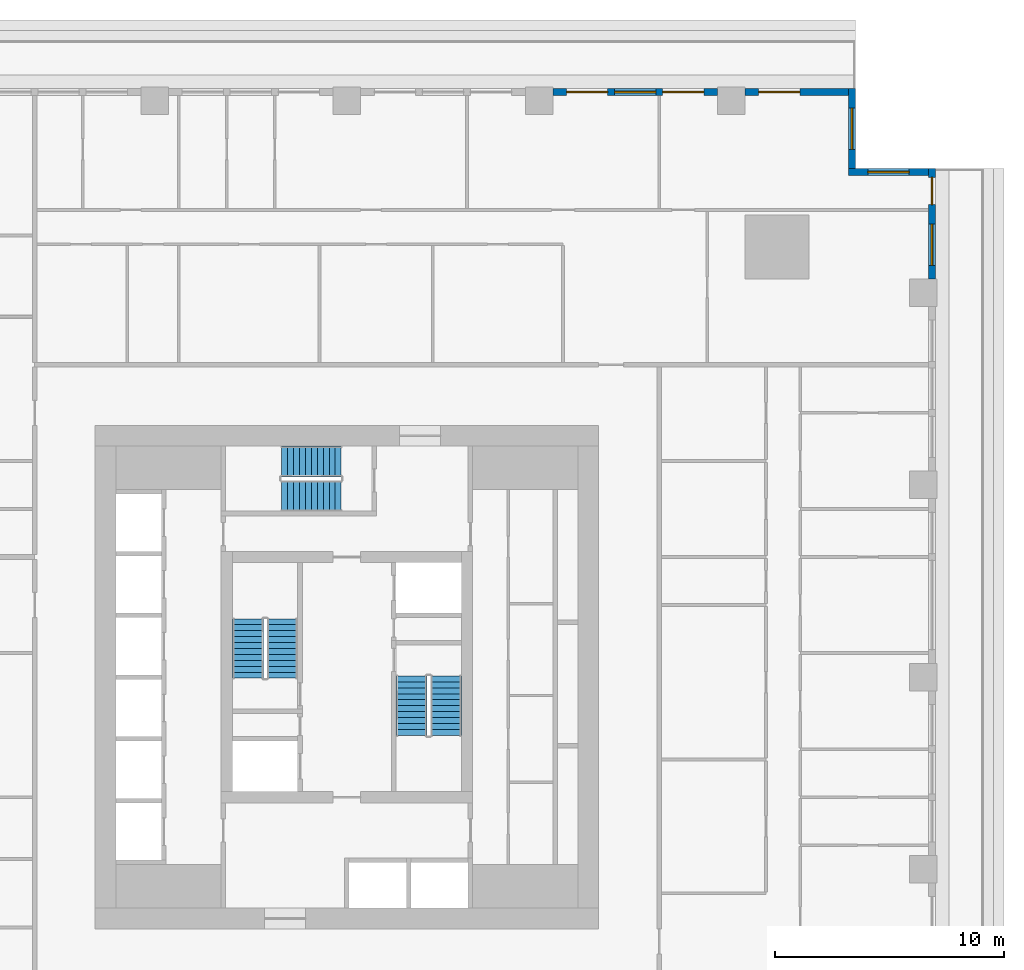
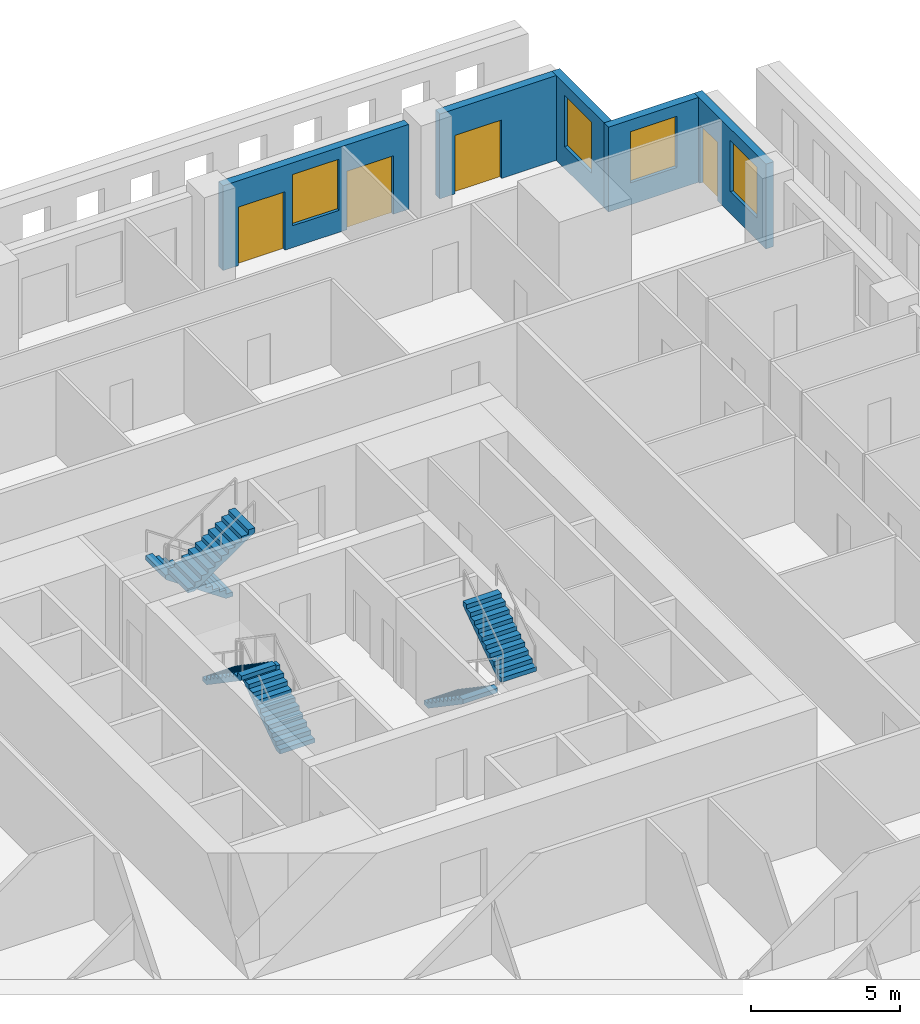
# One storey, part 9 of 14: 6 stair flights, 5 walls, 4 doors, 4 windows, 8 openings, 3 elements without a shape of their own.
"""IFC4 building model written with IfcOpenShell, lengths in metres."""

import ifcopenshell
import ifcopenshell.guid

model = None  # the IFC model being written
_history = None  # IfcOwnerHistory: only IFC2X3 demands one
_inside = {}  # id of a spatial element -> (the spatial element, [elements in it])
_under = {}  # id of a project, library or spatial element -> (it, [spatial elements below it])
_declared = {}  # id of a project -> (the project, [libraries it declares])
_typed = {}  # id of a type object -> (the type object, [elements of that type])
_made_of = {}  # id of a material, layer set ... -> (it, [elements and type objects made of it])


def new_model(schema):
    """Start an empty IFC model of exactly this schema.

    Asked for "IFC4X3", IfcOpenShell would pick the latest addendum, in which some entities
    have other attributes; the version numbers below select the first issue.
    IFC2X3 requires an IfcOwnerHistory on every rooted entity: one is made here for all.
    """
    global model, _history
    if schema == "IFC4X3":
        model = ifcopenshell.file(schema_version=(4, 3, 0, 0))
    else:
        model = ifcopenshell.file(schema=schema)
    _inside.clear()
    _under.clear()
    _declared.clear()
    _typed.clear()
    _made_of.clear()
    _history = None
    if model.schema == "IFC2X3":
        org = make("IfcOrganization", Name="unknown")
        user = make(
            "IfcPersonAndOrganization",
            ThePerson=make("IfcPerson", FamilyName="unknown"),
            TheOrganization=org,
        )
        app = make(
            "IfcApplication",
            ApplicationDeveloper=org,
            Version="unknown",
            ApplicationFullName="unknown",
            ApplicationIdentifier="unknown",
        )
        _history = make(
            "IfcOwnerHistory",
            OwningUser=user,
            OwningApplication=app,
            ChangeAction="ADDED",
            CreationDate=0,
        )
    return model


def make(cls, **values):
    """One entity of the class cls with the attributes given. An attribute that is None is left unset."""
    return model.create_entity(
        cls, **{name: value for name, value in values.items() if value is not None}
    )


def rooted(cls, **values):
    """An entity with a GlobalId (a new one), such as an element, a storey or a relation."""
    return make(cls, GlobalId=ifcopenshell.guid.new(), OwnerHistory=_history, **values)


def si_unit(unit_type, name, prefix=None):
    """IfcSIUnit, for example si_unit("LENGTHUNIT", "METRE", prefix="MILLI")."""
    return make("IfcSIUnit", UnitType=unit_type, Prefix=prefix, Name=name)


def assignment(units):
    """IfcUnitAssignment: the units of a project."""
    return None if units is None else make("IfcUnitAssignment", Units=units)


def point(xyz):
    """IfcCartesianPoint."""
    return None if xyz is None else make("IfcCartesianPoint", Coordinates=xyz)


def direction(xyz):
    """IfcDirection."""
    return None if xyz is None else make("IfcDirection", DirectionRatios=xyz)


def frame(location, z_axis=None, x_axis=None):
    """IfcAxis2Placement3D, a coordinate frame: its origin and axes. An axis left out is left unset."""
    return make(
        "IfcAxis2Placement3D",
        Location=point(location),
        Axis=direction(z_axis),
        RefDirection=direction(x_axis),
    )


def frame_2d(location, x_axis=None):
    """IfcAxis2Placement2D, a coordinate frame in the plane: its origin and x axis."""
    return make(
        "IfcAxis2Placement2D", Location=point(location), RefDirection=direction(x_axis)
    )


def origin():
    """The frame at (0, 0, 0) with its axes left unset."""
    return frame((0.0, 0.0, 0.0))


def place(relative_to, where):
    """IfcLocalPlacement: puts the frame where relative to a parent placement (None: the world)."""
    return make(
        "IfcLocalPlacement", PlacementRelTo=relative_to, RelativePlacement=where
    )


def context(
    kind, dimensions, precision=None, world=None, true_north=None, identifier=None
):
    """IfcGeometricRepresentationContext, for example the 3D "Model" context."""
    return make(
        "IfcGeometricRepresentationContext",
        ContextIdentifier=identifier,
        ContextType=kind,
        CoordinateSpaceDimension=dimensions,
        Precision=precision,
        WorldCoordinateSystem=world,
        TrueNorth=true_north,
    )


def subcontext(parent, identifier, kind, view, scale=None):
    """IfcGeometricRepresentationSubContext, for example "Body" below "Model"."""
    return make(
        "IfcGeometricRepresentationSubContext",
        ContextIdentifier=identifier,
        ContextType=kind,
        ParentContext=parent,
        TargetScale=scale,
        TargetView=view,
    )


def project(units=None, contexts=None):
    """IfcProject with its units and contexts."""
    return rooted(
        "IfcProject",
        Name="project",
        RepresentationContexts=contexts,
        UnitsInContext=assignment(units),
    )


def spatial(cls, under=None, at=None, **own):
    """A site, building, storey or space (cls), placed at a placement, below another one or the project."""
    s = rooted(cls, ObjectPlacement=at, **own)
    if under is not None:
        _under.setdefault(under.id(), (under, []))[1].append(s)
    return s


def polyline(points):
    """IfcPolyline through the points."""
    return make("IfcPolyline", Points=[point(p) for p in points])


def profile(cls, at=None, kind="AREA", **sizes):
    """A parametric profile (cls). Its sizes go by their IFC names, for example OverallWidth=200.0."""
    return make(cls, ProfileType=kind, Position=at, **sizes)


def rectangle(**sizes):
    """IfcRectangleProfileDef."""
    return profile("IfcRectangleProfileDef", **sizes)


def outline(outer, holes=None, kind="AREA"):
    """IfcArbitraryClosedProfileDef: a profile drawn as a closed curve; with holes, ...WithVoids."""
    if holes is None:
        return make("IfcArbitraryClosedProfileDef", ProfileType=kind, OuterCurve=outer)
    return make(
        "IfcArbitraryProfileDefWithVoids",
        ProfileType=kind,
        OuterCurve=outer,
        InnerCurves=holes,
    )


def extrude(swept, where, along, depth):
    """IfcExtrudedAreaSolid: the profile swept, set in the frame where, extruded along a direction by depth."""
    return make(
        "IfcExtrudedAreaSolid",
        SweptArea=swept,
        Position=where,
        ExtrudedDirection=direction(along),
        Depth=depth,
    )


def shape(context_of_items, identifier, shape_type, items):
    """IfcShapeRepresentation: the items that make up one representation, for example the "Body"."""
    return make(
        "IfcShapeRepresentation",
        ContextOfItems=context_of_items,
        RepresentationIdentifier=identifier,
        RepresentationType=shape_type,
        Items=items,
    )


def material(Name=None, Category=None):
    """IfcMaterial."""
    return make("IfcMaterial", Name=Name, Category=Category)


def layer(
    of_material, thickness, ventilated=None, Name=None, Category=None, Priority=None
):
    """IfcMaterialLayer: one layer of a wall or slab, of a material (None: an air gap)."""
    return make(
        "IfcMaterialLayer",
        Material=of_material,
        LayerThickness=thickness,
        IsVentilated=ventilated,
        Name=Name,
        Category=Category,
        Priority=Priority,
    )


def layer_set(layers, Name=None):
    """IfcMaterialLayerSet."""
    return make("IfcMaterialLayerSet", MaterialLayers=layers, LayerSetName=Name)


def made_of(thing, what):
    """Note that an element or type object is made of a material, layer set ...; save() writes the relation."""
    if what is not None:
        _made_of.setdefault(what.id(), (what, []))[1].append(thing)
    return thing


def type_object(cls, material=None, **own):
    """A type object (cls), such as IfcWallType, which elements share."""
    return made_of(rooted(cls, **own), material)


def element(
    cls,
    number,
    at=None,
    inside=None,
    cuts=None,
    type_object=None,
    material=None,
    context=None,
    identifier="Body",
    shape_type=None,
    held_by="IfcProductDefinitionShape",
    body=None,
    shapes=None,
    **own,
):
    """One element of the class cls, such as IfcWall. Its Tag is "e" and its number.

    at: its placement. inside: the storey or other place that contains it. cuts: it is an
    opening in that element (IfcRelVoidsElement). A single representation is given by context,
    identifier, shape_type and body (its items); several are given by shapes. held_by: the class
    of the entity that holds the representations. save() writes the other relations.
    """
    e = rooted(cls, Tag="e%d" % number, ObjectPlacement=at, **own)
    if body is not None:
        shapes = [shape(context, identifier, shape_type, body)]
    if shapes is not None:
        e.Representation = make(held_by, Representations=shapes)
    if inside is not None:
        _inside.setdefault(inside.id(), (inside, []))[1].append(e)
    if cuts is not None:
        rooted(
            "IfcRelVoidsElement", RelatingBuildingElement=cuts, RelatedOpeningElement=e
        )
    if type_object is not None:
        _typed.setdefault(type_object.id(), (type_object, []))[1].append(e)
    return made_of(e, material)


def fill(opening, filler):
    """IfcRelFillsElement: the door or window that sits in an opening."""
    return rooted(
        "IfcRelFillsElement",
        RelatingOpeningElement=opening,
        RelatedBuildingElement=filler,
    )


def aggregate(whole, parts):
    """IfcRelAggregates: a whole, such as a stair, and the parts it consists of."""
    return rooted("IfcRelAggregates", RelatingObject=whole, RelatedObjects=parts)


def save(model, path):
    """Write the relations noted so far, then the file.

    IfcRelAggregates (storeys below a building ...), IfcRelContainedInSpatialStructure (elements
    in a storey), IfcRelDefinesByType, IfcRelAssociatesMaterial and IfcRelDeclares: one each for
    every whole, place, type object, material and project.
    """
    for whole, parts in _under.values():
        aggregate(whole, parts)
    for where, things in _inside.values():
        rooted(
            "IfcRelContainedInSpatialStructure",
            RelatedElements=things,
            RelatingStructure=where,
        )
    for kind, things in _typed.values():
        rooted("IfcRelDefinesByType", RelatedObjects=things, RelatingType=kind)
    for what, things in _made_of.values():
        rooted("IfcRelAssociatesMaterial", RelatedObjects=things, RelatingMaterial=what)
    for by, libraries in _declared.values():
        rooted("IfcRelDeclares", RelatingContext=by, RelatedDefinitions=libraries)
    model.write(path)


model = new_model("IFC4")

# Units and contexts
model_context = context("Model", 3, precision=1e-05, world=origin(), true_north=direction((0.0, 1.0)))
body_context = subcontext(model_context, "Body", "Model", "MODEL_VIEW")
ifc_project = project(units=[si_unit("LENGTHUNIT", "METRE"), si_unit("AREAUNIT", "SQUARE_METRE"), si_unit("VOLUMEUNIT", "CUBIC_METRE"), si_unit("PLANEANGLEUNIT", "RADIAN"), si_unit("MASSUNIT", "GRAM", prefix="KILO")], contexts=[model_context])

# Site, building, storey
site_placement = place(None, origin())
site = spatial("IfcSite", under=ifc_project, at=site_placement, CompositionType="ELEMENT")
building_placement = place(site_placement, origin())
building = spatial("IfcBuilding", under=site, at=building_placement, Name="Khepri Terraces", CompositionType="ELEMENT")
storey_placement = place(building_placement, frame((0.0, 0.0, 114.300048828125)))
storey = spatial("IfcBuildingStorey", under=building, at=storey_placement, Name="L27", CompositionType="ELEMENT", Elevation=114.300048828125)

# Wall, openings, door, window
ifc_material_1 = material(Name="Precast concrete C50/60 warm stone", Category="masonry")
ifc_layer = layer(ifc_material_1, 0.300048828125, Name="Precast concrete C50/60 warm stone", Category="masonry")
ifc_layer_set = layer_set([ifc_layer], Name="Precast concrete C50/60 warm stone")
wall_type = type_object("IfcWallType", Name="WL-EXT-PRECAST-300", PredefinedType="STANDARD", material=ifc_layer_set)
wall_1_placement = place(storey_placement, frame((25.570068359375, 17.39990234375, 0.0), z_axis=(0.0, 0.0, 1.0), x_axis=(0.0, 1.0, 0.0)))
wall_1 = element("IfcWall", 1, at=wall_1_placement, inside=storey, type_object=wall_type, Name="External wall L27 E", PredefinedType="STANDARD", context=body_context, shape_type="SweptSolid", body=[
    extrude(rectangle(XDim=4.820068359375, YDim=0.300048828125, at=frame_2d((2.41015625, 0.0))), origin(), (0.0, 0.0, 1.0), 3.47998046875),
])
opening_1_placement = place(wall_1_placement, frame((0.60009765625, 0.0, 0.89990234375)))
opening_1 = element("IfcOpeningElement", 2, at=opening_1_placement, cuts=wall_1, Name="Opening W1", PredefinedType="OPENING", context=body_context, shape_type="SweptSolid", body=[
    extrude(rectangle(XDim=1.800048828125, YDim=2.10009765625, at=frame_2d((0.89990234375, 1.050048828125))), frame((0.0, 0.16015625, 0.0), z_axis=(0.0, -1.0, 0.0), x_axis=(1.0, 0.0, 0.0)), (0.0, 0.0, 1.0), 0.320068359375),
])
opening_2_placement = place(wall_1_placement, frame((3.2451171875, 0.0, 0.0)))
opening_2 = element("IfcOpeningElement", 3, at=opening_2_placement, cuts=wall_1, Name="Opening ED-L27-04", PredefinedType="OPENING", context=body_context, shape_type="SweptSolid", body=[
    extrude(rectangle(XDim=1.199951171875, YDim=2.39990234375, at=frame_2d((0.60009765625, 1.199951171875))), frame((0.0, 0.16015625, 0.0), z_axis=(0.0, -1.0, 0.0), x_axis=(1.0, 0.0, 0.0)), (0.0, 0.0, 1.0), 0.320068359375),
])
ifc_material_2 = material(Name="Anodised aluminium bronze glazed door", Category="aluminium")
door_type_1 = type_object("IfcDoorType", Name="DR-BAL-SLIDE-1200x2400", OperationType="NOTDEFINED", PredefinedType="DOOR", material=ifc_material_2)
door_1_placement = place(opening_2_placement, origin())
door_1 = element("IfcDoor", 4, at=door_1_placement, inside=storey, type_object=door_type_1, Name="Balcony door L27 E", OperationType="SLIDING_TO_RIGHT", OverallHeight=2.39990234375, OverallWidth=1.199951171875, PredefinedType="DOOR", context=body_context, shape_type="SweptSolid", body=[
    extrude(rectangle(XDim=1.199951171875, YDim=2.39990234375, at=frame_2d((0.60009765625, 1.199951171875))), frame((0.0, 0.02490234375, 0.0), z_axis=(0.0, -1.0, 0.0), x_axis=(1.0, 0.0, 0.0)), (0.0, 0.0, 1.0), 0.050048828125),
])
fill(opening_2, door_1)
ifc_material_3 = material(Name="Clear glass", Category="glass")
window_type = type_object("IfcWindowType", Name="WIN-RES-1800x2100", PartitioningType="SINGLE_PANEL", PredefinedType="WINDOW", material=ifc_material_3)
window_1_placement = place(opening_1_placement, origin())
window_1 = element("IfcWindow", 5, at=window_1_placement, inside=storey, type_object=window_type, Name="Window L27 E", OverallHeight=2.10009765625, OverallWidth=1.800048828125, PartitioningType="SINGLE_PANEL", PredefinedType="WINDOW", context=body_context, shape_type="SweptSolid", body=[
    extrude(rectangle(XDim=1.800048828125, YDim=2.10009765625, at=frame_2d((0.89990234375, 1.050048828125))), frame((0.0, 0.030029296875, 0.0), z_axis=(0.0, -1.0, 0.0), x_axis=(1.0, 0.0, 0.0)), (0.0, 0.0, 1.0), 0.06005859375),
])
fill(opening_1, window_1)

# Wall, opening, window
wall_2_placement = place(storey_placement, frame((25.419921875, 22.070068359375, 0.0), z_axis=(0.0, 0.0, 1.0), x_axis=(-1.0, 0.0, 0.0)))
wall_2 = element("IfcWall", 6, at=wall_2_placement, inside=storey, type_object=wall_type, Name="External wall L27 N", PredefinedType="STANDARD", context=body_context, shape_type="SweptSolid", body=[
    extrude(rectangle(XDim=3.5, YDim=0.300048828125, at=frame_2d((1.75, 0.0))), origin(), (0.0, 0.0, 1.0), 3.47998046875),
])
opening_3_placement = place(wall_2_placement, frame((0.85009765625, 0.0, 0.89990234375)))
opening_3 = element("IfcOpeningElement", 7, at=opening_3_placement, cuts=wall_2, Name="Opening W1", PredefinedType="OPENING", context=body_context, shape_type="SweptSolid", body=[
    extrude(rectangle(XDim=1.800048828125, YDim=2.10009765625, at=frame_2d((0.89990234375, 1.050048828125))), frame((0.0, 0.16015625, 0.0), z_axis=(0.0, -1.0, 0.0), x_axis=(1.0, 0.0, 0.0)), (0.0, 0.0, 1.0), 0.320068359375),
])
window_2_placement = place(opening_3_placement, origin())
window_2 = element("IfcWindow", 8, at=window_2_placement, inside=storey, type_object=window_type, Name="Window L27 N", OverallHeight=2.10009765625, OverallWidth=1.800048828125, PartitioningType="SINGLE_PANEL", PredefinedType="WINDOW", context=body_context, shape_type="SweptSolid", body=[
    extrude(rectangle(XDim=1.800048828125, YDim=2.10009765625, at=frame_2d((0.89990234375, 1.050048828125))), frame((0.0, 0.030029296875, 0.0), z_axis=(0.0, -1.0, 0.0), x_axis=(1.0, 0.0, 0.0)), (0.0, 0.0, 1.0), 0.06005859375),
])
fill(opening_3, window_2)

wall_3_placement = place(storey_placement, frame((22.070068359375, 22.219970703125, 0.0), z_axis=(0.0, 0.0, 1.0), x_axis=(0.0, 1.0, 0.0)))
wall_3 = element("IfcWall", 9, at=wall_3_placement, inside=storey, type_object=wall_type, Name="External wall L27 E", PredefinedType="STANDARD", context=body_context, shape_type="SweptSolid", body=[
    extrude(rectangle(XDim=3.5, YDim=0.300048828125, at=frame_2d((1.75, 0.0))), origin(), (0.0, 0.0, 1.0), 3.47998046875),
])
opening_4_placement = place(wall_3_placement, frame((0.85009765625, 0.0, 0.89990234375)))
opening_4 = element("IfcOpeningElement", 10, at=opening_4_placement, cuts=wall_3, Name="Opening W1", PredefinedType="OPENING", context=body_context, shape_type="SweptSolid", body=[
    extrude(rectangle(XDim=1.800048828125, YDim=2.10009765625, at=frame_2d((0.89990234375, 1.050048828125))), frame((0.0, 0.16015625, 0.0), z_axis=(0.0, -1.0, 0.0), x_axis=(1.0, 0.0, 0.0)), (0.0, 0.0, 1.0), 0.320068359375),
])
window_3_placement = place(opening_4_placement, origin())
window_3 = element("IfcWindow", 11, at=window_3_placement, inside=storey, type_object=window_type, Name="Window L27 E", OverallHeight=2.10009765625, OverallWidth=1.800048828125, PartitioningType="SINGLE_PANEL", PredefinedType="WINDOW", context=body_context, shape_type="SweptSolid", body=[
    extrude(rectangle(XDim=1.800048828125, YDim=2.10009765625, at=frame_2d((0.89990234375, 1.050048828125))), frame((0.0, 0.030029296875, 0.0), z_axis=(0.0, -1.0, 0.0), x_axis=(1.0, 0.0, 0.0)), (0.0, 0.0, 1.0), 0.06005859375),
])
fill(opening_4, window_3)

# Wall, opening, door
wall_4_placement = place(storey_placement, frame((21.919921875, 25.570068359375, 0.0), z_axis=(0.0, 0.0, 1.0), x_axis=(-1.0, 0.0, 0.0)))
wall_4 = element("IfcWall", 12, at=wall_4_placement, inside=storey, type_object=wall_type, Name="External wall L27 N", PredefinedType="STANDARD", context=body_context, shape_type="SweptSolid", body=[
    extrude(rectangle(XDim=4.52001953125, YDim=0.300048828125, at=frame_2d((2.260009765625, 0.0))), origin(), (0.0, 0.0, 1.0), 3.47998046875),
])
opening_5_placement = place(wall_4_placement, frame((2.1201171875, 0.0, 0.0)))
opening_5 = element("IfcOpeningElement", 13, at=opening_5_placement, cuts=wall_4, Name="Opening ED-L27-05", PredefinedType="OPENING", context=body_context, shape_type="SweptSolid", body=[
    extrude(rectangle(XDim=1.800048828125, YDim=2.39990234375, at=frame_2d((0.89990234375, 1.199951171875))), frame((0.0, 0.16015625, 0.0), z_axis=(0.0, -1.0, 0.0), x_axis=(1.0, 0.0, 0.0)), (0.0, 0.0, 1.0), 0.320068359375),
])
door_type_2 = type_object("IfcDoorType", Name="DR-BAL-SLIDE-1800x2400", OperationType="NOTDEFINED", PredefinedType="DOOR", material=ifc_material_2)
door_2_placement = place(opening_5_placement, origin())
door_2 = element("IfcDoor", 14, at=door_2_placement, inside=storey, type_object=door_type_2, Name="Balcony door L27 N", OperationType="SLIDING_TO_RIGHT", OverallHeight=2.39990234375, OverallWidth=1.800048828125, PredefinedType="DOOR", context=body_context, shape_type="SweptSolid", body=[
    extrude(rectangle(XDim=1.800048828125, YDim=2.39990234375, at=frame_2d((0.89990234375, 1.199951171875))), frame((0.0, 0.02490234375, 0.0), z_axis=(0.0, -1.0, 0.0), x_axis=(1.0, 0.0, 0.0)), (0.0, 0.0, 1.0), 0.050048828125),
])
fill(opening_5, door_2)

# Wall, openings, doors, window
wall_5_placement = place(storey_placement, frame((16.199951171875, 25.570068359375, 0.0), z_axis=(0.0, 0.0, 1.0), x_axis=(-1.0, 0.0, 0.0)))
wall_5 = element("IfcWall", 15, at=wall_5_placement, inside=storey, type_object=wall_type, Name="External wall L27 N", PredefinedType="STANDARD", context=body_context, shape_type="SweptSolid", body=[
    extrude(rectangle(XDim=7.199951171875, YDim=0.300048828125, at=frame_2d((3.60009765625, 0.0))), origin(), (0.0, 0.0, 1.0), 3.47998046875),
])
opening_6_placement = place(wall_5_placement, frame((0.60009765625, 0.0, 0.0)))
opening_6 = element("IfcOpeningElement", 16, at=opening_6_placement, cuts=wall_5, Name="Opening ED-L27-06", PredefinedType="OPENING", context=body_context, shape_type="SweptSolid", body=[
    extrude(rectangle(XDim=1.800048828125, YDim=2.39990234375, at=frame_2d((0.89990234375, 1.199951171875))), frame((0.0, 0.16015625, 0.0), z_axis=(0.0, -1.0, 0.0), x_axis=(1.0, 0.0, 0.0)), (0.0, 0.0, 1.0), 0.320068359375),
])
opening_7_placement = place(wall_5_placement, frame((2.699951171875, 0.0, 0.89990234375)))
opening_7 = element("IfcOpeningElement", 17, at=opening_7_placement, cuts=wall_5, Name="Opening W1", PredefinedType="OPENING", context=body_context, shape_type="SweptSolid", body=[
    extrude(rectangle(XDim=1.800048828125, YDim=2.10009765625, at=frame_2d((0.89990234375, 1.050048828125))), frame((0.0, 0.16015625, 0.0), z_axis=(0.0, -1.0, 0.0), x_axis=(1.0, 0.0, 0.0)), (0.0, 0.0, 1.0), 0.320068359375),
])
opening_8_placement = place(wall_5_placement, frame((4.800048828125, 0.0, 0.0)))
opening_8 = element("IfcOpeningElement", 18, at=opening_8_placement, cuts=wall_5, Name="Opening ED-L27-07", PredefinedType="OPENING", context=body_context, shape_type="SweptSolid", body=[
    extrude(rectangle(XDim=1.800048828125, YDim=2.39990234375, at=frame_2d((0.89990234375, 1.199951171875))), frame((0.0, 0.16015625, 0.0), z_axis=(0.0, -1.0, 0.0), x_axis=(1.0, 0.0, 0.0)), (0.0, 0.0, 1.0), 0.320068359375),
])
door_3_placement = place(opening_6_placement, origin())
door_3 = element("IfcDoor", 19, at=door_3_placement, inside=storey, type_object=door_type_2, Name="Balcony door L27 N", OperationType="SLIDING_TO_LEFT", OverallHeight=2.39990234375, OverallWidth=1.800048828125, PredefinedType="DOOR", context=body_context, shape_type="SweptSolid", body=[
    extrude(rectangle(XDim=1.800048828125, YDim=2.39990234375, at=frame_2d((0.89990234375, 1.199951171875))), frame((0.0, 0.02490234375, 0.0), z_axis=(0.0, -1.0, 0.0), x_axis=(1.0, 0.0, 0.0)), (0.0, 0.0, 1.0), 0.050048828125),
])
fill(opening_6, door_3)
door_4_placement = place(opening_8_placement, origin())
door_4 = element("IfcDoor", 20, at=door_4_placement, inside=storey, type_object=door_type_2, Name="Balcony door L27 N", OperationType="SLIDING_TO_RIGHT", OverallHeight=2.39990234375, OverallWidth=1.800048828125, PredefinedType="DOOR", context=body_context, shape_type="SweptSolid", body=[
    extrude(rectangle(XDim=1.800048828125, YDim=2.39990234375, at=frame_2d((0.89990234375, 1.199951171875))), frame((0.0, 0.02490234375, 0.0), z_axis=(0.0, -1.0, 0.0), x_axis=(1.0, 0.0, 0.0)), (0.0, 0.0, 1.0), 0.050048828125),
])
fill(opening_8, door_4)
window_4_placement = place(opening_7_placement, origin())
window_4 = element("IfcWindow", 21, at=window_4_placement, inside=storey, type_object=window_type, Name="Window L27 N", OverallHeight=2.10009765625, OverallWidth=1.800048828125, PartitioningType="SINGLE_PANEL", PredefinedType="WINDOW", context=body_context, shape_type="SweptSolid", body=[
    extrude(rectangle(XDim=1.800048828125, YDim=2.10009765625, at=frame_2d((0.89990234375, 1.050048828125))), frame((0.0, 0.030029296875, 0.0), z_axis=(0.0, -1.0, 0.0), x_axis=(1.0, 0.0, 0.0)), (0.0, 0.0, 1.0), 0.06005859375),
])
fill(opening_7, window_4)

# Stair, stair flights
ifc_material_4 = material(Name="Concrete C40/50", Category="concrete")
stair_type = type_object("IfcStairType", Name="STAIR-RC-22R", PredefinedType="HALF_TURN_STAIR", material=ifc_material_4)
stair_1_placement = place(storey_placement, origin())
stair_1 = element("IfcStair", 22, at=stair_1_placement, inside=storey, type_object=stair_type, Name="L27 Exit Stair ST-1", PredefinedType="HALF_TURN_STAIR")
stair_flight_type = type_object("IfcStairFlightType", Name="SFL-RC-177.3", PredefinedType="STRAIGHT", material=ifc_material_4)
stair_flight_1_placement = place(storey_placement, frame((-2.824951171875, -0.050048828125, 0.0), z_axis=(0.0, 0.0, 1.0), x_axis=(0.0, 1.0, 0.0)))
stair_flight_1 = element("IfcStairFlight", 23, at=stair_flight_1_placement, type_object=stair_flight_type, Name="ST-1 flight 1", NumberOfRisers=11, NumberOfTreads=10, PredefinedType="STRAIGHT", RiserHeight=0.177272727, TreadLength=0.26, context=body_context, shape_type="SweptSolid", body=[
    extrude(outline(polyline([(0.0, 0.0), (0.0, 0.17724609375), (0.260009765625, 0.17724609375), (0.260009765625, 0.3544921875), (0.52001953125, 0.3544921875), (0.52001953125, 0.53173828125), (0.780029296875, 0.53173828125), (0.780029296875, 0.708984375), (1.0400390625, 0.708984375), (1.0400390625, 0.886474609375), (1.300048828125, 0.886474609375), (1.300048828125, 1.063720703125), (1.56005859375, 1.063720703125), (1.56005859375, 1.240966796875), (1.820068359375, 1.240966796875), (1.820068359375, 1.418212890625), (2.080078125, 1.418212890625), (2.080078125, 1.595458984375), (2.340087890625, 1.595458984375), (2.340087890625, 1.772705078125), (2.60009765625, 1.772705078125), (2.60009765625, 1.949951171875), (2.60009765625, 1.59130859375), (0.26611328125, 0.0), (0.0, 0.0)])), frame((0.0, 0.675048828125, 0.0), z_axis=(0.0, -1.0, 0.0), x_axis=(1.0, 0.0, 0.0)), (0.0, 0.0, 1.0), 1.35009765625),
])
stair_flight_2_placement = place(storey_placement, frame((-4.324951171875, 2.550048828125, 1.949951171875), z_axis=(0.0, 0.0, 1.0), x_axis=(0.0, -1.0, 0.0)))
stair_flight_2 = element("IfcStairFlight", 24, at=stair_flight_2_placement, type_object=stair_flight_type, Name="ST-1 flight 2", NumberOfRisers=11, NumberOfTreads=10, PredefinedType="STRAIGHT", RiserHeight=0.177272727, TreadLength=0.26, context=body_context, shape_type="SweptSolid", body=[
    extrude(outline(polyline([(0.0, 0.0), (0.0, 0.17724609375), (0.260009765625, 0.17724609375), (0.260009765625, 0.3544921875), (0.52001953125, 0.3544921875), (0.52001953125, 0.53173828125), (0.780029296875, 0.53173828125), (0.780029296875, 0.708984375), (1.0400390625, 0.708984375), (1.0400390625, 0.886474609375), (1.300048828125, 0.886474609375), (1.300048828125, 1.063720703125), (1.56005859375, 1.063720703125), (1.56005859375, 1.240966796875), (1.820068359375, 1.240966796875), (1.820068359375, 1.418212890625), (2.080078125, 1.418212890625), (2.080078125, 1.595458984375), (2.340087890625, 1.595458984375), (2.340087890625, 1.772705078125), (2.60009765625, 1.772705078125), (2.60009765625, 1.949951171875), (2.60009765625, 1.59130859375), (0.26611328125, 0.0), (0.0, 0.0)])), frame((0.0, 0.675048828125, 0.0), z_axis=(0.0, -1.0, 0.0), x_axis=(1.0, 0.0, 0.0)), (0.0, 0.0, 1.0), 1.35009765625),
])
aggregate(stair_1, [stair_flight_1, stair_flight_2])

stair_2_placement = place(storey_placement, origin())
stair_2 = element("IfcStair", 25, at=stair_2_placement, inside=storey, type_object=stair_type, Name="L27 Exit Stair ST-2", PredefinedType="HALF_TURN_STAIR")
stair_flight_3_placement = place(storey_placement, frame((2.824951171875, 0.050048828125, 0.0), z_axis=(0.0, 0.0, 1.0), x_axis=(0.0, -1.0, 0.0)))
stair_flight_3 = element("IfcStairFlight", 26, at=stair_flight_3_placement, type_object=stair_flight_type, Name="ST-2 flight 1", NumberOfRisers=11, NumberOfTreads=10, PredefinedType="STRAIGHT", RiserHeight=0.177272727, TreadLength=0.26, context=body_context, shape_type="SweptSolid", body=[
    extrude(outline(polyline([(0.0, 0.0), (0.0, 0.17724609375), (0.260009765625, 0.17724609375), (0.260009765625, 0.3544921875), (0.52001953125, 0.3544921875), (0.52001953125, 0.53173828125), (0.780029296875, 0.53173828125), (0.780029296875, 0.708984375), (1.0400390625, 0.708984375), (1.0400390625, 0.886474609375), (1.300048828125, 0.886474609375), (1.300048828125, 1.063720703125), (1.56005859375, 1.063720703125), (1.56005859375, 1.240966796875), (1.820068359375, 1.240966796875), (1.820068359375, 1.418212890625), (2.080078125, 1.418212890625), (2.080078125, 1.595458984375), (2.340087890625, 1.595458984375), (2.340087890625, 1.772705078125), (2.60009765625, 1.772705078125), (2.60009765625, 1.949951171875), (2.60009765625, 1.59130859375), (0.26611328125, 0.0), (0.0, 0.0)])), frame((0.0, 0.675048828125, 0.0), z_axis=(0.0, -1.0, 0.0), x_axis=(1.0, 0.0, 0.0)), (0.0, 0.0, 1.0), 1.35009765625),
])
stair_flight_4_placement = place(storey_placement, frame((4.324951171875, -2.550048828125, 1.949951171875), z_axis=(0.0, 0.0, 1.0), x_axis=(0.0, 1.0, 0.0)))
stair_flight_4 = element("IfcStairFlight", 27, at=stair_flight_4_placement, type_object=stair_flight_type, Name="ST-2 flight 2", NumberOfRisers=11, NumberOfTreads=10, PredefinedType="STRAIGHT", RiserHeight=0.177272727, TreadLength=0.26, context=body_context, shape_type="SweptSolid", body=[
    extrude(outline(polyline([(0.0, 0.0), (0.0, 0.17724609375), (0.260009765625, 0.17724609375), (0.260009765625, 0.3544921875), (0.52001953125, 0.3544921875), (0.52001953125, 0.53173828125), (0.780029296875, 0.53173828125), (0.780029296875, 0.708984375), (1.0400390625, 0.708984375), (1.0400390625, 0.886474609375), (1.300048828125, 0.886474609375), (1.300048828125, 1.063720703125), (1.56005859375, 1.063720703125), (1.56005859375, 1.240966796875), (1.820068359375, 1.240966796875), (1.820068359375, 1.418212890625), (2.080078125, 1.418212890625), (2.080078125, 1.595458984375), (2.340087890625, 1.595458984375), (2.340087890625, 1.772705078125), (2.60009765625, 1.772705078125), (2.60009765625, 1.949951171875), (2.60009765625, 1.59130859375), (0.26611328125, 0.0), (0.0, 0.0)])), frame((0.0, 0.675048828125, 0.0), z_axis=(0.0, -1.0, 0.0), x_axis=(1.0, 0.0, 0.0)), (0.0, 0.0, 1.0), 1.35009765625),
])
aggregate(stair_2, [stair_flight_3, stair_flight_4])

stair_3_placement = place(storey_placement, origin())
stair_3 = element("IfcStair", 28, at=stair_3_placement, inside=storey, type_object=stair_type, Name="L27 Exit Stair ST-3", PredefinedType="HALF_TURN_STAIR")
stair_flight_5_placement = place(storey_placement, frame((-0.25, 9.425048828125, 0.0), z_axis=(0.0, 0.0, 1.0), x_axis=(-1.0, 0.0, 0.0)))
stair_flight_5 = element("IfcStairFlight", 29, at=stair_flight_5_placement, type_object=stair_flight_type, Name="ST-3 flight 1", NumberOfRisers=11, NumberOfTreads=10, PredefinedType="STRAIGHT", RiserHeight=0.177272727, TreadLength=0.26, context=body_context, shape_type="SweptSolid", body=[
    extrude(outline(polyline([(0.0, 0.0), (0.0, 0.17724609375), (0.260009765625, 0.17724609375), (0.260009765625, 0.3544921875), (0.52001953125, 0.3544921875), (0.52001953125, 0.53173828125), (0.780029296875, 0.53173828125), (0.780029296875, 0.708984375), (1.0400390625, 0.708984375), (1.0400390625, 0.886474609375), (1.300048828125, 0.886474609375), (1.300048828125, 1.063720703125), (1.56005859375, 1.063720703125), (1.56005859375, 1.240966796875), (1.820068359375, 1.240966796875), (1.820068359375, 1.418212890625), (2.080078125, 1.418212890625), (2.080078125, 1.595458984375), (2.340087890625, 1.595458984375), (2.340087890625, 1.772705078125), (2.60009765625, 1.772705078125), (2.60009765625, 1.949951171875), (2.60009765625, 1.59130859375), (0.26611328125, 0.0), (0.0, 0.0)])), frame((0.0, 0.675048828125, 0.0), z_axis=(0.0, -1.0, 0.0), x_axis=(1.0, 0.0, 0.0)), (0.0, 0.0, 1.0), 1.35009765625),
])
stair_flight_6_placement = place(storey_placement, frame((-2.85009765625, 7.925048828125, 1.949951171875), z_axis=(0.0, 0.0, 1.0), x_axis=(1.0, 0.0, 0.0)))
stair_flight_6 = element("IfcStairFlight", 30, at=stair_flight_6_placement, type_object=stair_flight_type, Name="ST-3 flight 2", NumberOfRisers=11, NumberOfTreads=10, PredefinedType="STRAIGHT", RiserHeight=0.177272727, TreadLength=0.26, context=body_context, shape_type="SweptSolid", body=[
    extrude(outline(polyline([(0.0, 0.0), (0.0, 0.17724609375), (0.260009765625, 0.17724609375), (0.260009765625, 0.3544921875), (0.52001953125, 0.3544921875), (0.52001953125, 0.53173828125), (0.780029296875, 0.53173828125), (0.780029296875, 0.708984375), (1.0400390625, 0.708984375), (1.0400390625, 0.886474609375), (1.300048828125, 0.886474609375), (1.300048828125, 1.063720703125), (1.56005859375, 1.063720703125), (1.56005859375, 1.240966796875), (1.820068359375, 1.240966796875), (1.820068359375, 1.418212890625), (2.080078125, 1.418212890625), (2.080078125, 1.595458984375), (2.340087890625, 1.595458984375), (2.340087890625, 1.772705078125), (2.60009765625, 1.772705078125), (2.60009765625, 1.949951171875), (2.60009765625, 1.59130859375), (0.26611328125, 0.0), (0.0, 0.0)])), frame((0.0, 0.675048828125, 0.0), z_axis=(0.0, -1.0, 0.0), x_axis=(1.0, 0.0, 0.0)), (0.0, 0.0, 1.0), 1.35009765625),
])
aggregate(stair_3, [stair_flight_5, stair_flight_6])

save(model, "model.ifc")
